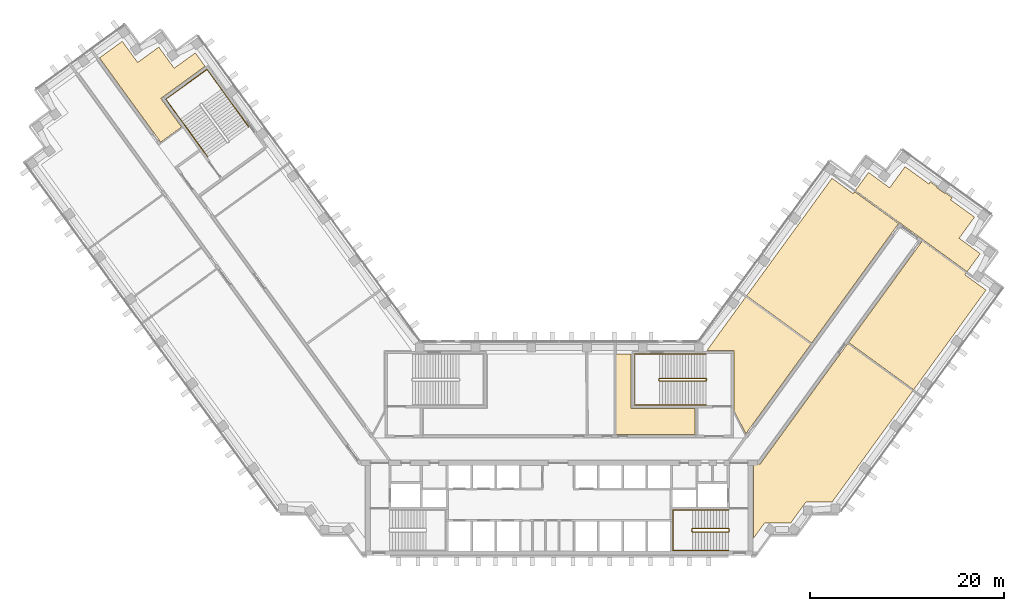
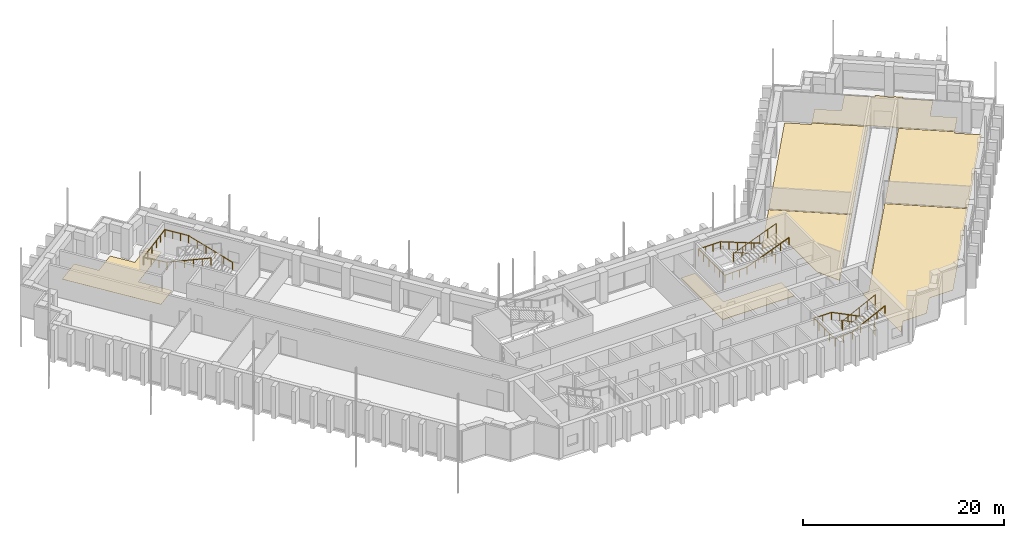
# One storey, part 16 of 16: 7 coverings, 5 railings.
"""IFC4 building model written with IfcOpenShell, lengths in metres."""

from ifc_helpers import new_model, si_unit, direction, frame, origin, origin_2d, place, context, subcontext, project, spatial, polyline, circle, outline, extrude, material, layer, layer_set, type_object, element, save


model = new_model("IFC4")

# Units and contexts
model_context = context("Model", 3, precision=1e-05, world=origin(), true_north=direction((0.0, 1.0)))
body_context = subcontext(model_context, "Body", "Model", "MODEL_VIEW")
ifc_project = project(units=[si_unit("LENGTHUNIT", "METRE"), si_unit("AREAUNIT", "SQUARE_METRE"), si_unit("VOLUMEUNIT", "CUBIC_METRE"), si_unit("PLANEANGLEUNIT", "RADIAN"), si_unit("MASSUNIT", "GRAM", prefix="KILO")], contexts=[model_context])

# Site, building, storey
site_placement = place(None, origin())
site = spatial("IfcSite", under=ifc_project, at=site_placement, CompositionType="ELEMENT")
building_placement = place(site_placement, origin())
building = spatial("IfcBuilding", under=site, at=building_placement, Name="Quipu Civic Tower", CompositionType="ELEMENT")
storey_placement = place(building_placement, frame((0.0, 0.0, 125.0)))
storey = spatial("IfcBuildingStorey", under=building, at=storey_placement, Name="L29", CompositionType="ELEMENT", Elevation=125.0)

# Coverings
ifc_material_1 = material(Name="Carpet tile on raised access floor")
ifc_layer_1 = layer(ifc_material_1, 0.02001953125)
ifc_layer_set_1 = layer_set([ifc_layer_1], Name="Carpet tile on raised access floor")
covering_type_1 = type_object("IfcCoveringType", Name="Carpet tile floor finish 20", PredefinedType="FLOORING", material=ifc_layer_set_1)
covering_1_placement = place(storey_placement, origin())
element("IfcCovering", 1, at=covering_1_placement, inside=storey, type_object=covering_type_1, Name="Carpet tile floor finish 20", PredefinedType="FLOORING", context=body_context, shape_type="SweptSolid", body=[
    extrude(outline(polyline([(-47.471923828125, 40.39794921875), (-45.116943359375, 42.10791015625), (-43.531982421875, 39.925048828125), (-41.346923828125, 41.510986328125), (-39.760009765625, 39.326904296875), (-37.574951171875, 40.9130859375), (-36.570068359375, 39.530029296875), (-41.139892578125, 36.208984375), (-38.998046875, 33.260009765625), (-41.15087890625, 31.697021484375), (-47.471923828125, 40.39794921875)])), origin(), (0.0, 0.0, 1.0), 0.02001953125),
])
covering_2_placement = place(storey_placement, origin())
element("IfcCovering", 2, at=covering_2_placement, inside=storey, type_object=covering_type_1, Name="Carpet tile floor finish 20", PredefinedType="FLOORING", context=body_context, shape_type="SweptSolid", body=[
    extrude(outline(polyline([(20.070068359375, -9.195068359375), (20.070068359375, -1.52001953125), (20.77490234375, -1.51904296875), (29.7958984375, 10.89794921875), (36.52001953125, 6.013916015625), (28.181884765625, -5.4609375), (25.48193359375, -5.4619140625), (25.2080078125, -5.840087890625), (25.205078125, -5.841064453125), (25.200927734375, -5.843017578125), (25.197021484375, -5.844970703125), (25.193115234375, -5.847900390625), (25.18896484375, -5.85205078125), (25.18603515625, -5.85498046875), (25.18310546875, -5.85888671875), (25.179931640625, -5.863037109375), (25.177978515625, -5.867919921875), (25.177001953125, -5.8720703125), (25.175048828125, -5.876953125), (25.175048828125, -5.882080078125), (25.174072265625, -5.885986328125), (23.89501953125, -7.64599609375), (21.721923828125, -7.64599609375), (21.721923828125, -7.64599609375), (21.718017578125, -7.64306640625), (21.712890625, -7.64111328125), (21.708984375, -7.638916015625), (21.7041015625, -7.637939453125), (21.698974609375, -7.636962890625), (21.694091796875, -7.635986328125), (21.68896484375, -7.636962890625), (21.68408203125, -7.636962890625), (21.679931640625, -7.637939453125), (21.675048828125, -7.639892578125), (21.669921875, -7.64111328125), (21.666015625, -7.64404296875), (21.6630859375, -7.64599609375), (21.196044921875, -7.64599609375), (20.070068359375, -9.195068359375)])), origin(), (0.0, 0.0, 1.0), 0.02001953125),
])
covering_3_placement = place(storey_placement, origin())
element("IfcCovering", 3, at=covering_3_placement, inside=storey, type_object=covering_type_1, Name="Carpet tile floor finish 20", PredefinedType="FLOORING", context=body_context, shape_type="SweptSolid", body=[
    extrude(outline(polyline([(29.87890625, 11.010986328125), (37.4990234375, 21.5), (42.0380859375, 18.201904296875), (41.89208984375, 17.9990234375), (44.074951171875, 16.4140625), (36.60302734375, 6.126953125), (29.87890625, 11.010986328125)])), origin(), (0.0, 0.0, 1.0), 0.02001953125),
])
covering_4_placement = place(storey_placement, origin())
element("IfcCovering", 4, at=covering_4_placement, inside=storey, type_object=covering_type_1, Name="Carpet tile floor finish 20", PredefinedType="FLOORING", context=body_context, shape_type="SweptSolid", body=[
    extrude(outline(polyline([(30.583984375, 26.697021484375), (31.94189453125, 28.56591796875), (34.126953125, 26.97998046875), (35.712890625, 29.1640625), (38.169921875, 27.37890625), (38.324951171875, 27.587890625), (39.044921875, 27.06396484375), (39.02197265625, 27.031982421875), (39.01904296875, 27.028076171875), (39.01708984375, 27.02294921875), (39.014892578125, 27.01904296875), (39.013916015625, 27.013916015625), (39.012939453125, 27.009033203125), (39.011962890625, 27.00390625), (39.011962890625, 27.0), (39.012939453125, 26.9951171875), (39.013916015625, 26.989990234375), (39.014892578125, 26.985107421875), (39.01708984375, 26.98095703125), (39.02001953125, 26.97607421875), (39.02197265625, 26.971923828125), (39.02490234375, 26.968994140625), (39.029052734375, 26.965087890625), (39.032958984375, 26.9619140625), (39.760986328125, 26.43310546875), (39.764892578125, 26.429931640625), (39.76904296875, 26.427978515625), (39.77392578125, 26.426025390625), (39.779052734375, 26.425048828125), (39.782958984375, 26.424072265625), (39.7880859375, 26.423095703125), (39.79296875, 26.424072265625), (39.798095703125, 26.424072265625), (39.802978515625, 26.425048828125), (39.80810546875, 26.427001953125), (39.81201171875, 26.427978515625), (39.81591796875, 26.430908203125), (39.820068359375, 26.43408203125), (39.823974609375, 26.43701171875), (39.827880859375, 26.43994140625), (39.8310546875, 26.444091796875), (39.85400390625, 26.47705078125), (40.574951171875, 25.952880859375), (40.424072265625, 25.740966796875), (42.881103515625, 23.95703125), (41.2939453125, 21.77294921875), (43.47802734375, 20.18505859375), (42.12109375, 18.31591796875), (30.583984375, 26.697021484375)])), origin(), (0.0, 0.0, 1.0), 0.02001953125),
])
ifc_material_2 = material(Name="Ceramic floor tile")
ifc_layer_2 = layer(ifc_material_2, 0.030029296875)
ifc_layer_set_2 = layer_set([ifc_layer_2], Name="Ceramic floor tile")
covering_type_2 = type_object("IfcCoveringType", Name="Ceramic tile floor finish 30", PredefinedType="FLOORING", material=ifc_layer_set_2)
covering_5_placement = place(storey_placement, origin())
element("IfcCovering", 5, at=covering_5_placement, inside=storey, type_object=covering_type_2, Name="Ceramic tile floor finish 30", PredefinedType="FLOORING", context=body_context, shape_type="SweptSolid", body=[
    extrude(outline(polyline([(19.35107421875, 15.8291015625), (28.169921875, 27.968994140625), (30.35302734375, 26.383056640625), (30.5009765625, 26.583984375), (35.0400390625, 23.2880859375), (26.073974609375, 10.946044921875), (19.35107421875, 15.8291015625)])), origin(), (0.0, 0.0, 1.0), 0.030029296875),
])
ifc_material_3 = material(Name="Sealed cement screed")
ifc_layer_3 = layer(ifc_material_3, 0.050048828125)
ifc_layer_set_3 = layer_set([ifc_layer_3], Name="Sealed cement screed")
covering_type_3 = type_object("IfcCoveringType", Name="Sealed screed floor finish 50", PredefinedType="FLOORING", material=ifc_layer_set_3)
covering_6_placement = place(storey_placement, origin())
element("IfcCovering", 6, at=covering_6_placement, inside=storey, type_object=covering_type_3, Name="Sealed screed floor finish 50", PredefinedType="FLOORING", context=body_context, shape_type="SweptSolid", body=[
    extrude(outline(polyline([(5.827880859375, 1.52001953125), (5.827880859375, 9.830078125), (7.429931640625, 9.830078125), (7.430908203125, 4.179931640625), (14.030029296875, 4.179931640625), (14.030029296875, 1.52001953125), (5.827880859375, 1.52001953125)])), origin(), (0.0, 0.0, 1.0), 0.050048828125),
])
covering_7_placement = place(storey_placement, origin())
element("IfcCovering", 7, at=covering_7_placement, inside=storey, type_object=covering_type_3, Name="Sealed screed floor finish 50", PredefinedType="FLOORING", context=body_context, shape_type="SweptSolid", body=[
    extrude(outline(polyline([(15.238037109375, 10.169921875), (19.26806640625, 15.716064453125), (25.990966796875, 10.8330078125), (19.27197265625, 1.583984375), (18.070068359375, 3.94189453125), (18.070068359375, 10.1689453125), (15.238037109375, 10.169921875)])), origin(), (0.0, 0.0, 1.0), 0.050048828125),
])

# Railings
ifc_material_4 = material(Name="Stainless steel", Category="steel")
railing_type_1 = type_object("IfcRailingType", Name="Stair guard 1100", PredefinedType="GUARDRAIL", material=ifc_material_4)
railing_1_placement = place(storey_placement, frame((17.5, -8.199951171875, 0.15380859375)))
element("IfcRailing", 8, at=railing_1_placement, inside=storey, type_object=railing_type_1, Name="Stair 2 guard", PredefinedType="GUARDRAIL", context=body_context, shape_type="SweptSolid", body=[
    extrude(circle(Radius=0.02392578125, at=origin_2d()), frame((0.0, 0.0, 1.076171875), z_axis=(-0.895751851347, 0.0, 0.444554407028), x_axis=(0.0, -1.0, 0.0)), (0.0, 0.0, 1.0), 4.15283203125),
    extrude(circle(Radius=0.02392578125, at=origin_2d()), frame((-3.719970703125, 0.0, 2.92236328125), z_axis=(-0.707106781187, -0.707106781187, 0.0), x_axis=(0.707106781187, -0.707106781187, 0.0)), (0.0, 0.0, 1.0), 0.07080078125),
    extrude(circle(Radius=0.02392578125, at=origin_2d()), frame((-3.77001953125, -0.050048828125, 2.92236328125), z_axis=(0.0, -1.0, 0.0), x_axis=(1.0, 0.0, 0.0)), (0.0, 0.0, 1.0), 0.25),
    extrude(circle(Radius=0.02392578125, at=origin_2d()), frame((-3.77001953125, -0.300048828125, 2.92236328125), z_axis=(0.295599637079, -0.295599637079, 0.908428152975), x_axis=(0.707106781187, 0.707106781187, 0.0)), (0.0, 0.0, 1.0), 0.16943359375),
    extrude(circle(Radius=0.02392578125, at=origin_2d()), frame((-3.719970703125, -0.35009765625, 3.076171875), z_axis=(0.895751851347, 0.0, 0.444554407028), x_axis=(0.0, 1.0, 0.0)), (0.0, 0.0, 1.0), 4.15283203125),
    extrude(circle(Radius=0.02392578125, at=origin_2d()), frame((0.0, -0.35009765625, 4.92236328125), z_axis=(0.012476181752, 0.074796231092, -0.997120789425), x_axis=(-0.986372223864, 0.164529134168, 0.0)), (0.0, 0.0, 1.0), 4.011474609375),
    extrude(circle(Radius=0.02392578125, at=origin_2d()), frame((0.050048828125, -0.050048828125, 0.92236328125), z_axis=(0.0, -1.0, 0.0), x_axis=(1.0, 0.0, 0.0)), (0.0, 0.0, 1.0), 0.25),
    extrude(circle(Radius=0.02099609375, at=origin_2d()), origin(), (0.0, 0.0, 1.0), 1.052001953125),
    extrude(circle(Radius=0.02099609375, at=origin_2d()), frame((-0.929931640625, 0.0, 0.46142578125)), (0.0, 0.0, 1.0), 1.052001953125),
    extrude(circle(Radius=0.02099609375, at=origin_2d()), frame((-1.85986328125, 0.0, 0.923095703125)), (0.0, 0.0, 1.0), 1.052001953125),
    extrude(circle(Radius=0.02099609375, at=origin_2d()), frame((-2.7900390625, 0.0, 1.384765625)), (0.0, 0.0, 1.0), 1.052001953125),
    extrude(circle(Radius=0.02099609375, at=origin_2d()), frame((-3.719970703125, 0.0, 1.84619140625)), (0.0, 0.0, 1.0), 1.052001953125),
    extrude(circle(Radius=0.02099609375, at=origin_2d()), frame((-3.77001953125, -0.050048828125, 1.84619140625)), (0.0, 0.0, 1.0), 1.052001953125),
    extrude(circle(Radius=0.02099609375, at=origin_2d()), frame((-3.77001953125, -0.300048828125, 1.84619140625)), (0.0, 0.0, 1.0), 1.052001953125),
    extrude(circle(Radius=0.02099609375, at=origin_2d()), frame((-3.719970703125, -0.35009765625, 2.0)), (0.0, 0.0, 1.0), 1.052001953125),
    extrude(circle(Radius=0.02099609375, at=origin_2d()), frame((-2.7900390625, -0.35009765625, 2.46142578125)), (0.0, 0.0, 1.0), 1.052001953125),
    extrude(circle(Radius=0.02099609375, at=origin_2d()), frame((-1.85986328125, -0.35009765625, 2.923095703125)), (0.0, 0.0, 1.0), 1.052001953125),
    extrude(circle(Radius=0.02099609375, at=origin_2d()), frame((-0.929931640625, -0.35009765625, 3.384765625)), (0.0, 0.0, 1.0), 1.052001953125),
    extrude(circle(Radius=0.02099609375, at=origin_2d()), frame((0.0, -0.35009765625, 3.84619140625)), (0.0, 0.0, 1.0), 1.052001953125),
    extrude(circle(Radius=0.02099609375, at=origin_2d()), frame((0.012451171875, -0.275146484375, 2.84619140625)), (0.0, 0.0, 1.0), 1.052001953125),
    extrude(circle(Radius=0.02099609375, at=origin_2d()), frame((0.02490234375, -0.2001953125, 1.84619140625)), (0.0, 0.0, 1.0), 1.052001953125),
    extrude(circle(Radius=0.02099609375, at=origin_2d()), frame((0.03759765625, -0.125, 0.84619140625)), (0.0, 0.0, 1.0), 1.052001953125),
    extrude(circle(Radius=0.02099609375, at=origin_2d()), frame((0.050048828125, -0.050048828125, -0.15380859375)), (0.0, 0.0, 1.0), 1.052001953125),
    extrude(circle(Radius=0.02099609375, at=origin_2d()), frame((0.050048828125, -0.300048828125, -0.15380859375)), (0.0, 0.0, 1.0), 1.052001953125),
])
railing_2_placement = place(storey_placement, frame((15.14990234375, 7.300048828125, 0.11767578125)))
element("IfcRailing", 9, at=railing_2_placement, inside=storey, type_object=railing_type_1, Name="Stair 4 guard", PredefinedType="GUARDRAIL", context=body_context, shape_type="SweptSolid", body=[
    extrude(circle(Radius=0.02392578125, at=origin_2d()), frame((0.0, 0.0, 1.076171875), z_axis=(-0.930970042603, 0.0, 0.365095576219), x_axis=(0.0, -1.0, 0.0)), (0.0, 0.0, 1.0), 5.15576171875),
    extrude(circle(Radius=0.02392578125, at=origin_2d()), frame((-4.7998046875, 0.0, 2.95849609375), z_axis=(-0.707106781187, -0.707106781187, 0.0), x_axis=(0.707106781187, -0.707106781187, 0.0)), (0.0, 0.0, 1.0), 0.07080078125),
    extrude(circle(Radius=0.02392578125, at=origin_2d()), frame((-4.849853515625, -0.050048828125, 2.95849609375), z_axis=(0.0, -1.0, 0.0), x_axis=(1.0, 0.0, 0.0)), (0.0, 0.0, 1.0), 0.14990234375),
    extrude(circle(Radius=0.02392578125, at=origin_2d()), frame((-4.849853515625, -0.199951171875, 2.95849609375), z_axis=(0.364463019033, -0.364463019033, 0.856932561824), x_axis=(0.707106781187, 0.707106781187, 0.0)), (0.0, 0.0, 1.0), 0.13720703125),
    extrude(circle(Radius=0.02392578125, at=origin_2d()), frame((-4.7998046875, -0.25, 3.076171875), z_axis=(0.930970042603, 0.0, 0.365095576219), x_axis=(0.0, 1.0, 0.0)), (0.0, 0.0, 1.0), 5.15576171875),
    extrude(circle(Radius=0.02392578125, at=origin_2d()), frame((0.0, -0.25, 4.95849609375), z_axis=(0.012495627992, 0.049921557685, -0.998674970829), x_axis=(-0.970072785993, 0.242814311512, 0.0)), (0.0, 0.0, 1.0), 4.00537109375),
    extrude(circle(Radius=0.02392578125, at=origin_2d()), frame((0.050048828125, -0.050048828125, 0.95849609375), z_axis=(0.0, -1.0, 0.0), x_axis=(1.0, 0.0, 0.0)), (0.0, 0.0, 1.0), 0.14990234375),
    extrude(circle(Radius=0.02099609375, at=origin_2d()), origin(), (0.0, 0.0, 1.0), 1.052001953125),
    extrude(circle(Radius=0.02099609375, at=origin_2d()), frame((-0.9599609375, 0.0, 0.37646484375)), (0.0, 0.0, 1.0), 1.052001953125),
    extrude(circle(Radius=0.02099609375, at=origin_2d()), frame((-1.919921875, 0.0, 0.7529296875)), (0.0, 0.0, 1.0), 1.052001953125),
    extrude(circle(Radius=0.02099609375, at=origin_2d()), frame((-2.8798828125, 0.0, 1.12939453125)), (0.0, 0.0, 1.0), 1.052001953125),
    extrude(circle(Radius=0.02099609375, at=origin_2d()), frame((-3.83984375, 0.0, 1.505859375)), (0.0, 0.0, 1.0), 1.052001953125),
    extrude(circle(Radius=0.02099609375, at=origin_2d()), frame((-4.7998046875, 0.0, 1.88232421875)), (0.0, 0.0, 1.0), 1.052001953125),
    extrude(circle(Radius=0.02099609375, at=origin_2d()), frame((-4.849853515625, -0.050048828125, 1.88232421875)), (0.0, 0.0, 1.0), 1.052001953125),
    extrude(circle(Radius=0.02099609375, at=origin_2d()), frame((-4.849853515625, -0.199951171875, 1.88232421875)), (0.0, 0.0, 1.0), 1.052001953125),
    extrude(circle(Radius=0.02099609375, at=origin_2d()), frame((-4.7998046875, -0.25, 2.0)), (0.0, 0.0, 1.0), 1.052001953125),
    extrude(circle(Radius=0.02099609375, at=origin_2d()), frame((-3.83984375, -0.25, 2.37646484375)), (0.0, 0.0, 1.0), 1.052001953125),
    extrude(circle(Radius=0.02099609375, at=origin_2d()), frame((-2.8798828125, -0.25, 2.7529296875)), (0.0, 0.0, 1.0), 1.052001953125),
    extrude(circle(Radius=0.02099609375, at=origin_2d()), frame((-1.919921875, -0.25, 3.12939453125)), (0.0, 0.0, 1.0), 1.052001953125),
    extrude(circle(Radius=0.02099609375, at=origin_2d()), frame((-0.9599609375, -0.25, 3.505859375)), (0.0, 0.0, 1.0), 1.052001953125),
    extrude(circle(Radius=0.02099609375, at=origin_2d()), frame((0.0, -0.25, 3.88232421875)), (0.0, 0.0, 1.0), 1.052001953125),
    extrude(circle(Radius=0.02099609375, at=origin_2d()), frame((0.012451171875, -0.199951171875, 2.88232421875)), (0.0, 0.0, 1.0), 1.052001953125),
    extrude(circle(Radius=0.02099609375, at=origin_2d()), frame((0.02490234375, -0.14990234375, 1.88232421875)), (0.0, 0.0, 1.0), 1.052001953125),
    extrude(circle(Radius=0.02099609375, at=origin_2d()), frame((0.03759765625, -0.10009765625, 0.88232421875)), (0.0, 0.0, 1.0), 1.052001953125),
    extrude(circle(Radius=0.02099609375, at=origin_2d()), frame((0.050048828125, -0.050048828125, -0.11767578125)), (0.0, 0.0, 1.0), 1.052001953125),
    extrude(circle(Radius=0.02099609375, at=origin_2d()), frame((0.050048828125, -0.199951171875, -0.11767578125)), (0.0, 0.0, 1.0), 1.052001953125),
])
ifc_material_5 = material(Name="Stainless steel", Category="steel")
railing_type_2 = type_object("IfcRailingType", Name="Stair handrail", PredefinedType="HANDRAIL", material=ifc_material_5)
railing_3_placement = place(storey_placement, frame((17.5, -6.300048828125, 0.15380859375)))
element("IfcRailing", 10, at=railing_3_placement, inside=storey, type_object=railing_type_2, Name="Stair 2 handrail", PredefinedType="HANDRAIL", context=body_context, shape_type="SweptSolid", body=[
    extrude(circle(Radius=0.02392578125, at=origin_2d()), frame((0.0, 0.0, 0.8759765625), z_axis=(-0.895751851347, 0.0, 0.444554407028), x_axis=(0.0, -1.0, 0.0)), (0.0, 0.0, 1.0), 4.15283203125),
    extrude(circle(Radius=0.02392578125, at=origin_2d()), frame((-3.719970703125, 0.0, 2.72216796875), z_axis=(-1.0, 0.0, 0.0), x_axis=(0.0, -1.0, 0.0)), (0.0, 0.0, 1.0), 2.030029296875),
    extrude(circle(Radius=0.02392578125, at=origin_2d()), frame((-5.75, 0.0, 2.72216796875), z_axis=(0.0, -1.0, 0.0), x_axis=(1.0, 0.0, 0.0)), (0.0, 0.0, 1.0), 4.14990234375),
    extrude(circle(Radius=0.02392578125, at=origin_2d()), frame((-5.75, -4.14990234375, 2.72216796875), z_axis=(0.997142003663, 0.0, 0.075550145798), x_axis=(0.0, 1.0, 0.0)), (0.0, 0.0, 1.0), 2.035888671875),
    extrude(circle(Radius=0.02392578125, at=origin_2d()), frame((-3.719970703125, -4.14990234375, 2.8759765625), z_axis=(0.895751851347, 0.0, 0.444554407028), x_axis=(0.0, 1.0, 0.0)), (0.0, 0.0, 1.0), 4.15283203125),
    extrude(circle(Radius=0.02099609375, at=origin_2d()), origin(), (0.0, 0.0, 1.0), 0.851806640625),
    extrude(circle(Radius=0.02099609375, at=origin_2d()), frame((-0.929931640625, 0.0, 0.46142578125)), (0.0, 0.0, 1.0), 0.851806640625),
    extrude(circle(Radius=0.02099609375, at=origin_2d()), frame((-1.85986328125, 0.0, 0.923095703125)), (0.0, 0.0, 1.0), 0.851806640625),
    extrude(circle(Radius=0.02099609375, at=origin_2d()), frame((-2.7900390625, 0.0, 1.384765625)), (0.0, 0.0, 1.0), 0.851806640625),
    extrude(circle(Radius=0.02099609375, at=origin_2d()), frame((-3.719970703125, 0.0, 1.84619140625)), (0.0, 0.0, 1.0), 0.851806640625),
    extrude(circle(Radius=0.02099609375, at=origin_2d()), frame((-4.73486328125, 0.0, 1.84619140625)), (0.0, 0.0, 1.0), 0.851806640625),
    extrude(circle(Radius=0.02099609375, at=origin_2d()), frame((-5.75, 0.0, 1.84619140625)), (0.0, 0.0, 1.0), 0.851806640625),
    extrude(circle(Radius=0.02099609375, at=origin_2d()), frame((-5.75, -1.03759765625, 1.84619140625)), (0.0, 0.0, 1.0), 0.851806640625),
    extrude(circle(Radius=0.02099609375, at=origin_2d()), frame((-5.75, -2.074951171875, 1.84619140625)), (0.0, 0.0, 1.0), 0.851806640625),
    extrude(circle(Radius=0.02099609375, at=origin_2d()), frame((-5.75, -3.1123046875, 1.84619140625)), (0.0, 0.0, 1.0), 0.851806640625),
    extrude(circle(Radius=0.02099609375, at=origin_2d()), frame((-5.75, -4.14990234375, 1.84619140625)), (0.0, 0.0, 1.0), 0.851806640625),
    extrude(circle(Radius=0.02099609375, at=origin_2d()), frame((-4.73486328125, -4.14990234375, 1.923095703125)), (0.0, 0.0, 1.0), 0.851806640625),
    extrude(circle(Radius=0.02099609375, at=origin_2d()), frame((-3.719970703125, -4.14990234375, 2.0)), (0.0, 0.0, 1.0), 0.851806640625),
    extrude(circle(Radius=0.02099609375, at=origin_2d()), frame((-2.7900390625, -4.14990234375, 2.46142578125)), (0.0, 0.0, 1.0), 0.851806640625),
    extrude(circle(Radius=0.02099609375, at=origin_2d()), frame((-1.85986328125, -4.14990234375, 2.923095703125)), (0.0, 0.0, 1.0), 0.851806640625),
    extrude(circle(Radius=0.02099609375, at=origin_2d()), frame((-0.929931640625, -4.14990234375, 3.384765625)), (0.0, 0.0, 1.0), 0.851806640625),
    extrude(circle(Radius=0.02099609375, at=origin_2d()), frame((0.0, -4.14990234375, 3.84619140625)), (0.0, 0.0, 1.0), 0.851806640625),
])
railing_4_placement = place(storey_placement, frame((15.14990234375, 9.800048828125, 0.11767578125)))
element("IfcRailing", 11, at=railing_4_placement, inside=storey, type_object=railing_type_2, Name="Stair 4 handrail", PredefinedType="HANDRAIL", context=body_context, shape_type="SweptSolid", body=[
    extrude(circle(Radius=0.02392578125, at=origin_2d()), frame((0.0, 0.0, 0.8759765625), z_axis=(-0.930970042603, 0.0, 0.365095576219), x_axis=(0.0, -1.0, 0.0)), (0.0, 0.0, 1.0), 5.15576171875),
    extrude(circle(Radius=0.02392578125, at=origin_2d()), frame((-4.7998046875, 0.0, 2.75830078125), z_axis=(-1.0, 0.0, 0.0), x_axis=(0.0, -1.0, 0.0)), (0.0, 0.0, 1.0), 2.550048828125),
    extrude(circle(Radius=0.02392578125, at=origin_2d()), frame((-7.349853515625, 0.0, 2.75830078125), z_axis=(0.0, -1.0, 0.0), x_axis=(1.0, 0.0, 0.0)), (0.0, 0.0, 1.0), 5.25),
    extrude(circle(Radius=0.02392578125, at=origin_2d()), frame((-7.349853515625, -5.25, 2.75830078125), z_axis=(0.998936948642, 0.0, 0.04609742549), x_axis=(0.0, 1.0, 0.0)), (0.0, 0.0, 1.0), 2.552734375),
    extrude(circle(Radius=0.02392578125, at=origin_2d()), frame((-4.7998046875, -5.25, 2.8759765625), z_axis=(0.930970042603, 0.0, 0.365095576219), x_axis=(0.0, 1.0, 0.0)), (0.0, 0.0, 1.0), 5.15576171875),
    extrude(circle(Radius=0.02099609375, at=origin_2d()), origin(), (0.0, 0.0, 1.0), 0.851806640625),
    extrude(circle(Radius=0.02099609375, at=origin_2d()), frame((-0.9599609375, 0.0, 0.37646484375)), (0.0, 0.0, 1.0), 0.851806640625),
    extrude(circle(Radius=0.02099609375, at=origin_2d()), frame((-1.919921875, 0.0, 0.7529296875)), (0.0, 0.0, 1.0), 0.851806640625),
    extrude(circle(Radius=0.02099609375, at=origin_2d()), frame((-2.8798828125, 0.0, 1.12939453125)), (0.0, 0.0, 1.0), 0.851806640625),
    extrude(circle(Radius=0.02099609375, at=origin_2d()), frame((-3.83984375, 0.0, 1.505859375)), (0.0, 0.0, 1.0), 0.851806640625),
    extrude(circle(Radius=0.02099609375, at=origin_2d()), frame((-4.7998046875, 0.0, 1.88232421875)), (0.0, 0.0, 1.0), 0.851806640625),
    extrude(circle(Radius=0.02099609375, at=origin_2d()), frame((-5.64990234375, 0.0, 1.88232421875)), (0.0, 0.0, 1.0), 0.851806640625),
    extrude(circle(Radius=0.02099609375, at=origin_2d()), frame((-6.499755859375, 0.0, 1.88232421875)), (0.0, 0.0, 1.0), 0.851806640625),
    extrude(circle(Radius=0.02099609375, at=origin_2d()), frame((-7.349853515625, 0.0, 1.88232421875)), (0.0, 0.0, 1.0), 0.851806640625),
    extrude(circle(Radius=0.02099609375, at=origin_2d()), frame((-7.349853515625, -1.050048828125, 1.88232421875)), (0.0, 0.0, 1.0), 0.851806640625),
    extrude(circle(Radius=0.02099609375, at=origin_2d()), frame((-7.349853515625, -2.10009765625, 1.88232421875)), (0.0, 0.0, 1.0), 0.851806640625),
    extrude(circle(Radius=0.02099609375, at=origin_2d()), frame((-7.349853515625, -3.14990234375, 1.88232421875)), (0.0, 0.0, 1.0), 0.851806640625),
    extrude(circle(Radius=0.02099609375, at=origin_2d()), frame((-7.349853515625, -4.199951171875, 1.88232421875)), (0.0, 0.0, 1.0), 0.851806640625),
    extrude(circle(Radius=0.02099609375, at=origin_2d()), frame((-7.349853515625, -5.25, 1.88232421875)), (0.0, 0.0, 1.0), 0.851806640625),
    extrude(circle(Radius=0.02099609375, at=origin_2d()), frame((-6.499755859375, -5.25, 1.921630859375)), (0.0, 0.0, 1.0), 0.851806640625),
    extrude(circle(Radius=0.02099609375, at=origin_2d()), frame((-5.64990234375, -5.25, 1.960693359375)), (0.0, 0.0, 1.0), 0.851806640625),
    extrude(circle(Radius=0.02099609375, at=origin_2d()), frame((-4.7998046875, -5.25, 2.0)), (0.0, 0.0, 1.0), 0.851806640625),
    extrude(circle(Radius=0.02099609375, at=origin_2d()), frame((-3.83984375, -5.25, 2.37646484375)), (0.0, 0.0, 1.0), 0.851806640625),
    extrude(circle(Radius=0.02099609375, at=origin_2d()), frame((-2.8798828125, -5.25, 2.7529296875)), (0.0, 0.0, 1.0), 0.851806640625),
    extrude(circle(Radius=0.02099609375, at=origin_2d()), frame((-1.919921875, -5.25, 3.12939453125)), (0.0, 0.0, 1.0), 0.851806640625),
    extrude(circle(Radius=0.02099609375, at=origin_2d()), frame((-0.9599609375, -5.25, 3.505859375)), (0.0, 0.0, 1.0), 0.851806640625),
    extrude(circle(Radius=0.02099609375, at=origin_2d()), frame((0.0, -5.25, 3.88232421875)), (0.0, 0.0, 1.0), 0.851806640625),
])
railing_5_placement = place(storey_placement, frame((-32.056396484375, 33.266845703125, 0.11767578125)))
element("IfcRailing", 12, at=railing_5_placement, inside=storey, type_object=railing_type_2, Name="Stair 6 handrail", PredefinedType="HANDRAIL", context=body_context, shape_type="SweptSolid", body=[
    extrude(circle(Radius=0.02392578125, at=origin_2d()), frame((0.0, 0.0, 0.8759765625), z_axis=(-0.54720100349, 0.753182689643, 0.365084781664), x_axis=(-0.809026317077, -0.587772420479, 0.0)), (0.0, 0.0, 1.0), 5.15576171875),
    extrude(circle(Radius=0.02392578125, at=origin_2d()), frame((-2.8212890625, 3.88330078125, 2.75830078125), z_axis=(-0.587767432704, 0.809029940764, 0.0), x_axis=(-0.809029940764, -0.587767432704, 0.0)), (0.0, 0.0, 1.0), 2.550048828125),
    extrude(circle(Radius=0.02392578125, at=origin_2d()), frame((-4.320068359375, 5.9462890625, 2.75830078125), z_axis=(-0.809009483706, -0.587795589702, 0.0), x_axis=(0.587795589702, -0.809009483706, 0.0)), (0.0, 0.0, 1.0), 5.25),
    extrude(circle(Radius=0.02392578125, at=origin_2d()), frame((-8.5673828125, 2.8603515625, 2.75830078125), z_axis=(0.587142558822, -0.808169835812, 0.046099155132), x_axis=(0.809029940764, 0.587767432704, 0.0)), (0.0, 0.0, 1.0), 2.552734375),
    extrude(circle(Radius=0.02392578125, at=origin_2d()), frame((-7.068603515625, 0.79736328125, 2.8759765625), z_axis=(0.54720100349, -0.753182689643, 0.365084781664), x_axis=(0.809026317077, 0.587772420479, 0.0)), (0.0, 0.0, 1.0), 5.15576171875),
    extrude(circle(Radius=0.02099609375, at=origin_2d()), origin(), (0.0, 0.0, 1.0), 0.851806640625),
    extrude(circle(Radius=0.02099609375, at=origin_2d()), frame((-0.564208984375, 0.776611328125, 0.37646484375)), (0.0, 0.0, 1.0), 0.851806640625),
    extrude(circle(Radius=0.02099609375, at=origin_2d()), frame((-1.12841796875, 1.55322265625, 0.7529296875)), (0.0, 0.0, 1.0), 0.851806640625),
    extrude(circle(Radius=0.02099609375, at=origin_2d()), frame((-1.69287109375, 2.330078125, 1.12939453125)), (0.0, 0.0, 1.0), 0.851806640625),
    extrude(circle(Radius=0.02099609375, at=origin_2d()), frame((-2.257080078125, 3.106689453125, 1.505859375)), (0.0, 0.0, 1.0), 0.851806640625),
    extrude(circle(Radius=0.02099609375, at=origin_2d()), frame((-2.8212890625, 3.88330078125, 1.88232421875)), (0.0, 0.0, 1.0), 0.851806640625),
    extrude(circle(Radius=0.02099609375, at=origin_2d()), frame((-3.32080078125, 4.571044921875, 1.88232421875)), (0.0, 0.0, 1.0), 0.851806640625),
    extrude(circle(Radius=0.02099609375, at=origin_2d()), frame((-3.820556640625, 5.258544921875, 1.88232421875)), (0.0, 0.0, 1.0), 0.851806640625),
    extrude(circle(Radius=0.02099609375, at=origin_2d()), frame((-4.320068359375, 5.9462890625, 1.88232421875)), (0.0, 0.0, 1.0), 0.851806640625),
    extrude(circle(Radius=0.02099609375, at=origin_2d()), frame((-5.16943359375, 5.3291015625, 1.88232421875)), (0.0, 0.0, 1.0), 0.851806640625),
    extrude(circle(Radius=0.02099609375, at=origin_2d()), frame((-6.01904296875, 4.7119140625, 1.88232421875)), (0.0, 0.0, 1.0), 0.851806640625),
    extrude(circle(Radius=0.02099609375, at=origin_2d()), frame((-6.868408203125, 4.0947265625, 1.88232421875)), (0.0, 0.0, 1.0), 0.851806640625),
    extrude(circle(Radius=0.02099609375, at=origin_2d()), frame((-7.718017578125, 3.4775390625, 1.88232421875)), (0.0, 0.0, 1.0), 0.851806640625),
    extrude(circle(Radius=0.02099609375, at=origin_2d()), frame((-8.5673828125, 2.8603515625, 1.88232421875)), (0.0, 0.0, 1.0), 0.851806640625),
    extrude(circle(Radius=0.02099609375, at=origin_2d()), frame((-8.06787109375, 2.172607421875, 1.921630859375)), (0.0, 0.0, 1.0), 0.851806640625),
    extrude(circle(Radius=0.02099609375, at=origin_2d()), frame((-7.568115234375, 1.485107421875, 1.960693359375)), (0.0, 0.0, 1.0), 0.851806640625),
    extrude(circle(Radius=0.02099609375, at=origin_2d()), frame((-7.068603515625, 0.79736328125, 2.0)), (0.0, 0.0, 1.0), 0.851806640625),
    extrude(circle(Radius=0.02099609375, at=origin_2d()), frame((-6.50439453125, 0.020751953125, 2.37646484375)), (0.0, 0.0, 1.0), 0.851806640625),
    extrude(circle(Radius=0.02099609375, at=origin_2d()), frame((-5.940185546875, -0.755859375, 2.7529296875)), (0.0, 0.0, 1.0), 0.851806640625),
    extrude(circle(Radius=0.02099609375, at=origin_2d()), frame((-5.375732421875, -1.53271484375, 3.12939453125)), (0.0, 0.0, 1.0), 0.851806640625),
    extrude(circle(Radius=0.02099609375, at=origin_2d()), frame((-4.8115234375, -2.309326171875, 3.505859375)), (0.0, 0.0, 1.0), 0.851806640625),
    extrude(circle(Radius=0.02099609375, at=origin_2d()), frame((-4.247314453125, -3.0859375, 3.88232421875)), (0.0, 0.0, 1.0), 0.851806640625),
])

save(model, "model.ifc")
